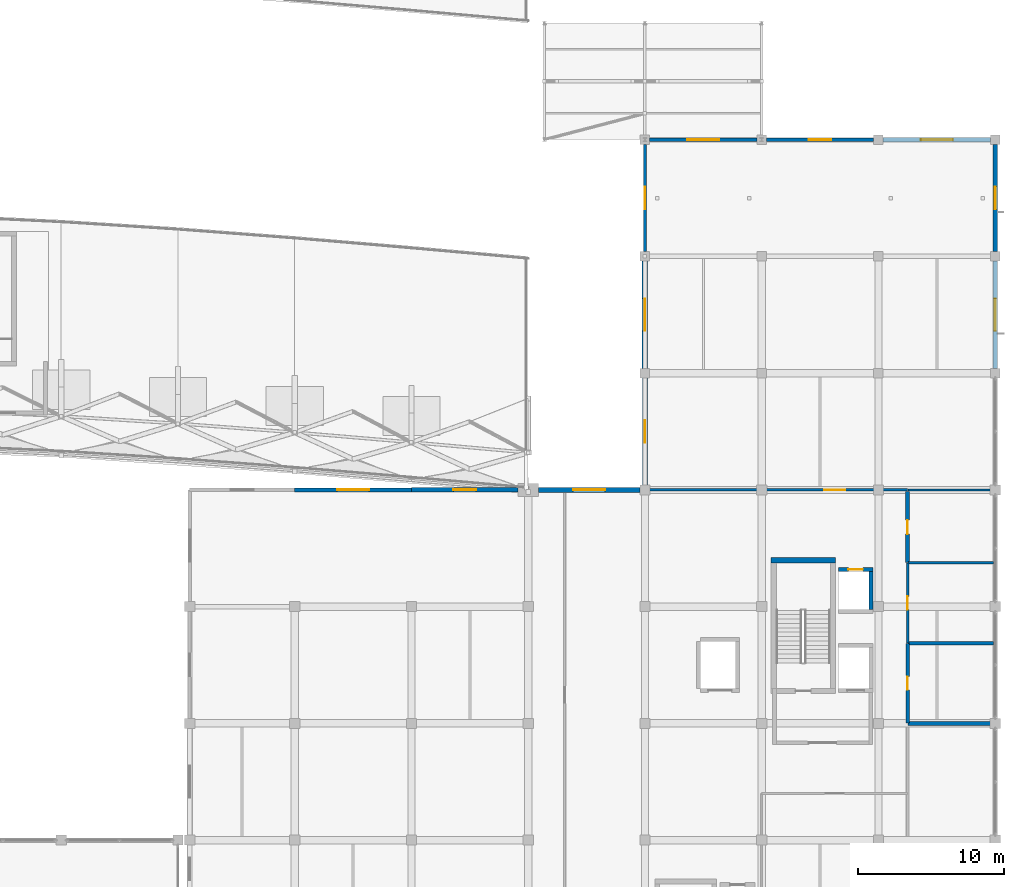
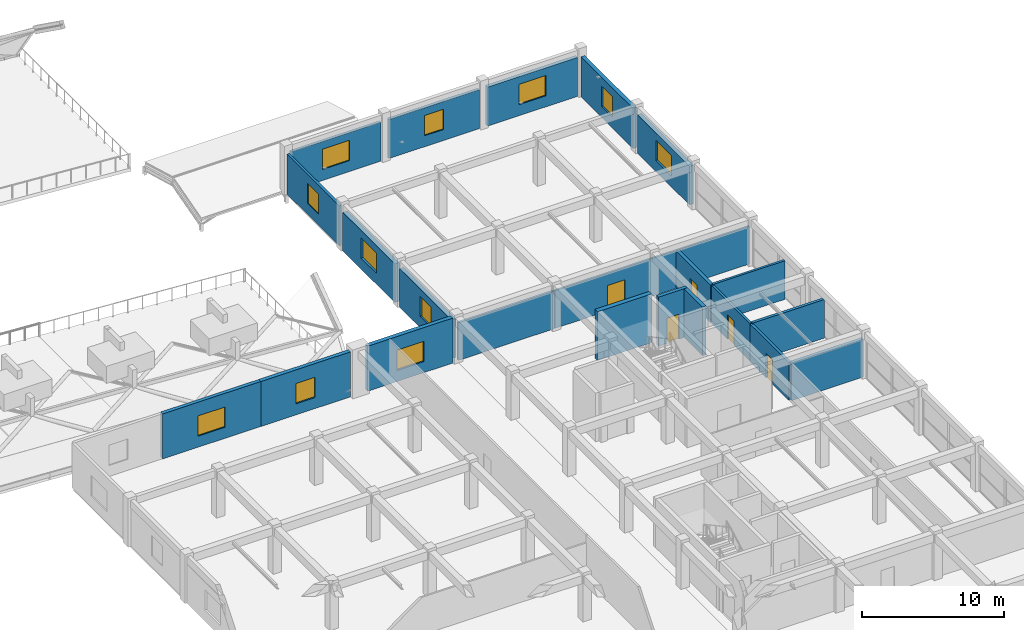
# One storey, part 48 of 67: 23 walls, 11 windows, 5 doors, 16 openings.
"""IFC4 building model written with IfcOpenShell, lengths in metres."""

from ifc_helpers import new_model, si_unit, direction, frame, frame_2d, origin, place, context, subcontext, project, spatial, rectangle, extrude, material, layer, layer_set, type_object, element, fill, save


model = new_model("IFC4")

# Units and contexts
model_context = context("Model", 3, precision=1e-05, world=origin(), true_north=direction((0.0, 1.0)))
body_context = subcontext(model_context, "Body", "Model", "MODEL_VIEW")
ifc_project = project(units=[si_unit("LENGTHUNIT", "METRE"), si_unit("AREAUNIT", "SQUARE_METRE"), si_unit("VOLUMEUNIT", "CUBIC_METRE"), si_unit("PLANEANGLEUNIT", "RADIAN"), si_unit("MASSUNIT", "GRAM", prefix="KILO")], contexts=[model_context])

# Site, building, storey
site_placement = place(None, origin())
site = spatial("IfcSite", under=ifc_project, at=site_placement, CompositionType="ELEMENT")
building_placement = place(site_placement, origin())
building = spatial("IfcBuilding", under=site, at=building_placement, Name="Kenh Van Central Station", CompositionType="ELEMENT")
storey_placement = place(building_placement, frame((0.0, 0.0, 10.800048828125)))
storey = spatial("IfcBuildingStorey", under=building, at=storey_placement, Name="L02", CompositionType="ELEMENT", Elevation=10.800048828125)

# Wall, opening, door
ifc_material_1 = material(Name="Concrete C40/50", Category="concrete")
ifc_layer_1 = layer(ifc_material_1, 0.280029296875, Name="Concrete C40/50")
ifc_layer_set_1 = layer_set([ifc_layer_1], Name="Concrete C40/50")
wall_type_1 = type_object("IfcWallType", Name="WL-CORE-280", PredefinedType="SHEAR", material=ifc_layer_set_1)
wall_1_placement = place(storey_placement, frame((165.25, 58.5400390625, 0.0), z_axis=(0.0, 0.0, 1.0), x_axis=(1.0, 0.0, 0.0)))
wall_1 = element("IfcWall", 1, at=wall_1_placement, inside=storey, type_object=wall_type_1, Name="L02 LIFT-OP2 shaft wall N", PredefinedType="SHEAR", context=body_context, shape_type="SweptSolid", body=[
    extrude(rectangle(XDim=2.3798828125, YDim=0.280029296875, at=frame_2d((1.18994140625, 0.0))), origin(), (0.0, 0.0, 1.0), 4.199951171875),
])
opening_1_placement = place(wall_1_placement, frame((0.68994140625, 0.0, 0.0)))
opening_1 = element("IfcOpeningElement", 2, at=opening_1_placement, cuts=wall_1, Name="Opening LD-OP1", PredefinedType="OPENING", context=body_context, shape_type="SweptSolid", body=[
    extrude(rectangle(XDim=1.0, YDim=2.14990234375, at=frame_2d((0.5, 1.074951171875))), frame((0.0, 0.14990234375, 0.0), z_axis=(0.0, -1.0, 0.0), x_axis=(1.0, 0.0, 0.0)), (0.0, 0.0, 1.0), 0.300048828125),
])
ifc_material_2 = material(Name="Champagne anodised aluminium", Category="aluminium")
door_type_1 = type_object("IfcDoorType", Name="DR-LIFT-1000x2150", OperationType="SLIDING_TO_LEFT", PredefinedType="DOOR", material=ifc_material_2)
door_1_placement = place(opening_1_placement, origin())
door_1 = element("IfcDoor", 3, at=door_1_placement, inside=storey, type_object=door_type_1, Name="L02 LIFT-OP2 sliding landing door", OperationType="SLIDING_TO_LEFT", OverallHeight=2.14990234375, OverallWidth=1.0, PredefinedType="DOOR", context=body_context, shape_type="SweptSolid", body=[
    extrude(rectangle(XDim=1.0, YDim=2.14990234375, at=frame_2d((0.5, 1.074951171875))), frame((0.0, 0.02490234375, 0.0), z_axis=(0.0, -1.0, 0.0), x_axis=(1.0, 0.0, 0.0)), (0.0, 0.0, 1.0), 0.050048828125),
])
fill(opening_1, door_1)

# Walls
wall_2_placement = place(storey_placement, frame((167.489990234375, 55.800048828125, 0.0), z_axis=(0.0, 0.0, 1.0), x_axis=(0.0, 1.0, 0.0)))
element("IfcWall", 4, at=wall_2_placement, inside=storey, type_object=wall_type_1, Name="L02 LIFT-OP2 shaft wall E", PredefinedType="SHEAR", context=body_context, shape_type="SweptSolid", body=[
    extrude(rectangle(XDim=2.599853515625, YDim=0.280029296875, at=frame_2d((1.2998046875, 0.0))), origin(), (0.0, 0.0, 1.0), 4.199951171875),
])
ifc_layer_2 = layer(ifc_material_1, 0.360107421875, Name="Concrete C40/50")
ifc_layer_set_2 = layer_set([ifc_layer_2], Name="Concrete C40/50")
wall_type_2 = type_object("IfcWallType", Name="WL-CORE-360", PredefinedType="SHEAR", material=ifc_layer_set_2)
wall_3_placement = place(storey_placement, frame((160.639892578125, 59.179931640625, 0.0), z_axis=(0.0, 0.0, 1.0), x_axis=(1.0, 0.0, 0.0)))
element("IfcWall", 5, at=wall_3_placement, inside=storey, type_object=wall_type_2, Name="L02 CORE-10 stair wall N", PredefinedType="SHEAR", context=body_context, shape_type="SweptSolid", body=[
    extrude(rectangle(XDim=4.420166015625, YDim=0.360107421875, at=frame_2d((2.2099609375, 0.0))), origin(), (0.0, 0.0, 1.0), 4.199951171875),
])

# Wall, opening, window
ifc_material_3 = material(Name="Saigon buff sandstone and terracotta masonry", Category="masonry")
ifc_layer_3 = layer(ifc_material_3, 0.2900390625, Name="Saigon buff sandstone and terracotta masonry")
ifc_layer_set_3 = layer_set([ifc_layer_3], Name="Saigon buff sandstone and terracotta masonry")
wall_type_3 = type_object("IfcWallType", Name="WL-EXT-290", PredefinedType="STANDARD", material=ifc_layer_set_3)
wall_4_placement = place(storey_placement, frame((175.675048828125, 88.0, 0.0), z_axis=(0.0, 0.0, 1.0), x_axis=(-1.0, 0.0, 0.0)))
wall_4 = element("IfcWall", 6, at=wall_4_placement, inside=storey, type_object=wall_type_3, Name="L02 exterior wall 084", PredefinedType="STANDARD", context=body_context, shape_type="SweptSolid", body=[
    extrude(rectangle(XDim=7.35009765625, YDim=0.2900390625, at=frame_2d((3.675048828125, 0.0))), origin(), (0.0, 0.0, 1.0), 3.35986328125),
])
opening_2_placement = place(wall_4_placement, frame((2.574951171875, 0.0, 0.949951171875)))
opening_2 = element("IfcOpeningElement", 7, at=opening_2_placement, cuts=wall_4, Name="Opening WN-16", PredefinedType="OPENING", context=body_context, shape_type="SweptSolid", body=[
    extrude(rectangle(XDim=2.199951171875, YDim=1.75, at=frame_2d((1.10009765625, 0.875))), frame((0.0, 0.155029296875, 0.0), z_axis=(0.0, -1.0, 0.0), x_axis=(1.0, 0.0, 0.0)), (0.0, 0.0, 1.0), 0.31005859375),
])
ifc_material_4 = material(Name="Double-glazed low-E laminated solar glass", Category="glass")
window_type_1 = type_object("IfcWindowType", Name="WN-OP02-2200x1750", PartitioningType="DOUBLE_PANEL_VERTICAL", PredefinedType="WINDOW", material=ifc_material_4)
window_1_placement = place(opening_2_placement, origin())
window_1 = element("IfcWindow", 8, at=window_1_placement, inside=storey, type_object=window_type_1, Name="L02 window 054", OverallHeight=1.75, OverallWidth=2.199951171875, PartitioningType="SINGLE_PANEL", PredefinedType="WINDOW", context=body_context, shape_type="SweptSolid", body=[
    extrude(rectangle(XDim=2.199951171875, YDim=1.75, at=frame_2d((1.10009765625, 0.875))), frame((0.0, 0.030029296875, 0.0), z_axis=(0.0, -1.0, 0.0), x_axis=(1.0, 0.0, 0.0)), (0.0, 0.0, 1.0), 0.06005859375),
])
fill(opening_2, window_1)

wall_5_placement = place(storey_placement, frame((136.0, 64.0, 0.0), z_axis=(0.0, 0.0, 1.0), x_axis=(-1.0, 0.0, 0.0)))
wall_5 = element("IfcWall", 9, at=wall_5_placement, inside=storey, type_object=wall_type_3, Name="L02 exterior wall 092", PredefinedType="STANDARD", context=body_context, shape_type="SweptSolid", body=[
    extrude(rectangle(XDim=8.0, YDim=0.2900390625, at=frame_2d((4.0, 0.0))), origin(), (0.0, 0.0, 1.0), 3.8798828125),
])
opening_3_placement = place(wall_5_placement, frame((2.89990234375, 0.0, 0.949951171875)))
opening_3 = element("IfcOpeningElement", 10, at=opening_3_placement, cuts=wall_5, Name="Opening WN-16", PredefinedType="OPENING", context=body_context, shape_type="SweptSolid", body=[
    extrude(rectangle(XDim=2.199951171875, YDim=1.75, at=frame_2d((1.10009765625, 0.875))), frame((0.0, 0.155029296875, 0.0), z_axis=(0.0, -1.0, 0.0), x_axis=(1.0, 0.0, 0.0)), (0.0, 0.0, 1.0), 0.31005859375),
])
window_2_placement = place(opening_3_placement, origin())
window_2 = element("IfcWindow", 11, at=window_2_placement, inside=storey, type_object=window_type_1, Name="L02 window 062", OverallHeight=1.75, OverallWidth=2.199951171875, PartitioningType="SINGLE_PANEL", PredefinedType="WINDOW", context=body_context, shape_type="SweptSolid", body=[
    extrude(rectangle(XDim=2.199951171875, YDim=1.75, at=frame_2d((1.10009765625, 0.875))), frame((0.0, 0.030029296875, 0.0), z_axis=(0.0, -1.0, 0.0), x_axis=(1.0, 0.0, 0.0)), (0.0, 0.0, 1.0), 0.06005859375),
])
fill(opening_3, window_2)

ifc_layer_4 = layer(ifc_material_3, 0.31005859375, Name="Saigon buff sandstone and terracotta masonry")
ifc_layer_set_4 = layer_set([ifc_layer_4], Name="Saigon buff sandstone and terracotta masonry")
wall_type_4 = type_object("IfcWallType", Name="WL-EXT-310", PredefinedType="STANDARD", material=ifc_layer_set_4)
wall_6_placement = place(storey_placement, frame((176.0, 80.324951171875, 0.0), z_axis=(0.0, 0.0, 1.0), x_axis=(0.0, 1.0, 0.0)))
wall_6 = element("IfcWall", 12, at=wall_6_placement, inside=storey, type_object=wall_type_4, Name="L02 exterior wall 083", PredefinedType="STANDARD", context=body_context, shape_type="SweptSolid", body=[
    extrude(rectangle(XDim=7.35009765625, YDim=0.31005859375, at=frame_2d((3.675048828125, 0.0))), origin(), (0.0, 0.0, 1.0), 3.4638671875),
])
opening_4_placement = place(wall_6_placement, frame((2.89990234375, 0.0, 0.949951171875)))
opening_4 = element("IfcOpeningElement", 13, at=opening_4_placement, cuts=wall_6, Name="Opening WN-17", PredefinedType="OPENING", context=body_context, shape_type="SweptSolid", body=[
    extrude(rectangle(XDim=1.550048828125, YDim=1.75, at=frame_2d((0.77490234375, 0.875))), frame((0.0, 0.1650390625, 0.0), z_axis=(0.0, -1.0, 0.0), x_axis=(1.0, 0.0, 0.0)), (0.0, 0.0, 1.0), 0.330078125),
])
window_type_2 = type_object("IfcWindowType", Name="WN-OP02-1550x1750", PartitioningType="SINGLE_PANEL", PredefinedType="WINDOW", material=ifc_material_4)
window_3_placement = place(opening_4_placement, origin())
window_3 = element("IfcWindow", 14, at=window_3_placement, inside=storey, type_object=window_type_2, Name="L02 window 053", OverallHeight=1.75, OverallWidth=1.550048828125, PartitioningType="SINGLE_PANEL", PredefinedType="WINDOW", context=body_context, shape_type="SweptSolid", body=[
    extrude(rectangle(XDim=1.550048828125, YDim=1.75, at=frame_2d((0.77490234375, 0.875))), frame((0.0, 0.030029296875, 0.0), z_axis=(0.0, -1.0, 0.0), x_axis=(1.0, 0.0, 0.0)), (0.0, 0.0, 1.0), 0.06005859375),
])
fill(opening_4, window_3)

wall_7_placement = place(storey_placement, frame((143.300048828125, 64.0, 0.0), z_axis=(0.0, 0.0, 1.0), x_axis=(-1.0, 0.0, 0.0)))
wall_7 = element("IfcWall", 15, at=wall_7_placement, inside=storey, type_object=wall_type_4, Name="L02 exterior wall 091", PredefinedType="STANDARD", context=body_context, shape_type="SweptSolid", body=[
    extrude(rectangle(XDim=7.300048828125, YDim=0.31005859375, at=frame_2d((3.64990234375, 0.0))), origin(), (0.0, 0.0, 1.0), 3.8798828125),
])
opening_5_placement = place(wall_7_placement, frame((2.875, 0.0, 0.949951171875)))
opening_5 = element("IfcOpeningElement", 16, at=opening_5_placement, cuts=wall_7, Name="Opening WN-17", PredefinedType="OPENING", context=body_context, shape_type="SweptSolid", body=[
    extrude(rectangle(XDim=1.550048828125, YDim=1.75, at=frame_2d((0.77490234375, 0.875))), frame((0.0, 0.1650390625, 0.0), z_axis=(0.0, -1.0, 0.0), x_axis=(1.0, 0.0, 0.0)), (0.0, 0.0, 1.0), 0.330078125),
])
window_4_placement = place(opening_5_placement, origin())
window_4 = element("IfcWindow", 17, at=window_4_placement, inside=storey, type_object=window_type_2, Name="L02 window 061", OverallHeight=1.75, OverallWidth=1.550048828125, PartitioningType="SINGLE_PANEL", PredefinedType="WINDOW", context=body_context, shape_type="SweptSolid", body=[
    extrude(rectangle(XDim=1.550048828125, YDim=1.75, at=frame_2d((0.77490234375, 0.875))), frame((0.0, 0.030029296875, 0.0), z_axis=(0.0, -1.0, 0.0), x_axis=(1.0, 0.0, 0.0)), (0.0, 0.0, 1.0), 0.06005859375),
])
fill(opening_5, window_4)

ifc_layer_5 = layer(ifc_material_3, 0.330078125, Name="Saigon buff sandstone and terracotta masonry")
ifc_layer_set_5 = layer_set([ifc_layer_5], Name="Saigon buff sandstone and terracotta masonry")
wall_type_5 = type_object("IfcWallType", Name="WL-EXT-330", PredefinedType="STANDARD", material=ifc_layer_set_5)
wall_8_placement = place(storey_placement, frame((176.0, 72.324951171875, 0.0), z_axis=(0.0, 0.0, 1.0), x_axis=(0.0, 1.0, 0.0)))
wall_8 = element("IfcWall", 18, at=wall_8_placement, inside=storey, type_object=wall_type_5, Name="L02 exterior wall 082", PredefinedType="STANDARD", context=body_context, shape_type="SweptSolid", body=[
    extrude(rectangle(XDim=7.35009765625, YDim=0.330078125, at=frame_2d((3.675048828125, 0.0))), origin(), (0.0, 0.0, 1.0), 3.329833984375),
])
opening_6_placement = place(wall_8_placement, frame((2.574951171875, 0.0, 0.949951171875)))
opening_6 = element("IfcOpeningElement", 19, at=opening_6_placement, cuts=wall_8, Name="Opening WN-16", PredefinedType="OPENING", context=body_context, shape_type="SweptSolid", body=[
    extrude(rectangle(XDim=2.199951171875, YDim=1.75, at=frame_2d((1.10009765625, 0.875))), frame((0.0, 0.175048828125, 0.0), z_axis=(0.0, -1.0, 0.0), x_axis=(1.0, 0.0, 0.0)), (0.0, 0.0, 1.0), 0.35009765625),
])
window_5_placement = place(opening_6_placement, origin())
window_5 = element("IfcWindow", 20, at=window_5_placement, inside=storey, type_object=window_type_1, Name="L02 window 052", OverallHeight=1.75, OverallWidth=2.199951171875, PartitioningType="SINGLE_PANEL", PredefinedType="WINDOW", context=body_context, shape_type="SweptSolid", body=[
    extrude(rectangle(XDim=2.199951171875, YDim=1.75, at=frame_2d((1.10009765625, 0.875))), frame((0.0, 0.030029296875, 0.0), z_axis=(0.0, -1.0, 0.0), x_axis=(1.0, 0.0, 0.0)), (0.0, 0.0, 1.0), 0.06005859375),
])
fill(opening_6, window_5)

wall_9_placement = place(storey_placement, frame((151.64990234375, 64.0, 0.0), z_axis=(0.0, 0.0, 1.0), x_axis=(-1.0, 0.0, 0.0)))
wall_9 = element("IfcWall", 21, at=wall_9_placement, inside=storey, type_object=wall_type_5, Name="L02 exterior wall 090", PredefinedType="STANDARD", context=body_context, shape_type="SweptSolid", body=[
    extrude(rectangle(XDim=6.949951171875, YDim=0.330078125, at=frame_2d((3.47509765625, 0.0))), origin(), (0.0, 0.0, 1.0), 3.8798828125),
])
opening_7_placement = place(wall_9_placement, frame((2.375, 0.0, 0.949951171875)))
opening_7 = element("IfcOpeningElement", 22, at=opening_7_placement, cuts=wall_9, Name="Opening WN-16", PredefinedType="OPENING", context=body_context, shape_type="SweptSolid", body=[
    extrude(rectangle(XDim=2.199951171875, YDim=1.75, at=frame_2d((1.10009765625, 0.875))), frame((0.0, 0.175048828125, 0.0), z_axis=(0.0, -1.0, 0.0), x_axis=(1.0, 0.0, 0.0)), (0.0, 0.0, 1.0), 0.35009765625),
])
window_6_placement = place(opening_7_placement, origin())
window_6 = element("IfcWindow", 23, at=window_6_placement, inside=storey, type_object=window_type_1, Name="L02 window 060", OverallHeight=1.75, OverallWidth=2.199951171875, PartitioningType="SINGLE_PANEL", PredefinedType="WINDOW", context=body_context, shape_type="SweptSolid", body=[
    extrude(rectangle(XDim=2.199951171875, YDim=1.75, at=frame_2d((1.10009765625, 0.875))), frame((0.0, 0.030029296875, 0.0), z_axis=(0.0, -1.0, 0.0), x_axis=(1.0, 0.0, 0.0)), (0.0, 0.0, 1.0), 0.06005859375),
])
fill(opening_7, window_6)

ifc_layer_6 = layer(ifc_material_3, 0.35009765625, Name="Saigon buff sandstone and terracotta masonry")
ifc_layer_set_6 = layer_set([ifc_layer_6], Name="Saigon buff sandstone and terracotta masonry")
wall_type_6 = type_object("IfcWallType", Name="WL-EXT-350", PredefinedType="STANDARD", material=ifc_layer_set_6)
wall_10_placement = place(storey_placement, frame((152.0, 71.675048828125, 0.0), z_axis=(0.0, 0.0, 1.0), x_axis=(0.0, -1.0, 0.0)))
wall_10 = element("IfcWall", 24, at=wall_10_placement, inside=storey, type_object=wall_type_6, Name="L02 exterior wall 089", PredefinedType="STANDARD", context=body_context, shape_type="SweptSolid", body=[
    extrude(rectangle(XDim=7.324951171875, YDim=0.35009765625, at=frame_2d((3.66259765625, 0.0))), origin(), (0.0, 0.0, 1.0), 3.329833984375),
])
opening_8_placement = place(wall_10_placement, frame((2.887451171875, 0.0, 0.949951171875)))
opening_8 = element("IfcOpeningElement", 25, at=opening_8_placement, cuts=wall_10, Name="Opening WN-17", PredefinedType="OPENING", context=body_context, shape_type="SweptSolid", body=[
    extrude(rectangle(XDim=1.550048828125, YDim=1.75, at=frame_2d((0.77490234375, 0.875))), frame((0.0, 0.18505859375, 0.0), z_axis=(0.0, -1.0, 0.0), x_axis=(1.0, 0.0, 0.0)), (0.0, 0.0, 1.0), 0.3701171875),
])
window_7_placement = place(opening_8_placement, origin())
window_7 = element("IfcWindow", 26, at=window_7_placement, inside=storey, type_object=window_type_2, Name="L02 window 059", OverallHeight=1.75, OverallWidth=1.550048828125, PartitioningType="SINGLE_PANEL", PredefinedType="WINDOW", context=body_context, shape_type="SweptSolid", body=[
    extrude(rectangle(XDim=1.550048828125, YDim=1.75, at=frame_2d((0.77490234375, 0.875))), frame((0.0, 0.030029296875, 0.0), z_axis=(0.0, -1.0, 0.0), x_axis=(1.0, 0.0, 0.0)), (0.0, 0.0, 1.0), 0.06005859375),
])
fill(opening_8, window_7)

ifc_layer_7 = layer(ifc_material_3, 0.3798828125, Name="Saigon buff sandstone and terracotta masonry")
ifc_layer_set_7 = layer_set([ifc_layer_7], Name="Saigon buff sandstone and terracotta masonry")
wall_type_7 = type_object("IfcWallType", Name="WL-EXT-380", PredefinedType="STANDARD", material=ifc_layer_set_7)
wall_11_placement = place(storey_placement, frame((152.0, 79.675048828125, 0.0), z_axis=(0.0, 0.0, 1.0), x_axis=(0.0, -1.0, 0.0)))
wall_11 = element("IfcWall", 27, at=wall_11_placement, inside=storey, type_object=wall_type_7, Name="L02 exterior wall 088", PredefinedType="STANDARD", context=body_context, shape_type="SweptSolid", body=[
    extrude(rectangle(XDim=7.35009765625, YDim=0.3798828125, at=frame_2d((3.675048828125, 0.0))), origin(), (0.0, 0.0, 1.0), 3.329833984375),
])
opening_9_placement = place(wall_11_placement, frame((2.574951171875, 0.0, 0.949951171875)))
opening_9 = element("IfcOpeningElement", 28, at=opening_9_placement, cuts=wall_11, Name="Opening WN-16", PredefinedType="OPENING", context=body_context, shape_type="SweptSolid", body=[
    extrude(rectangle(XDim=2.199951171875, YDim=1.75, at=frame_2d((1.10009765625, 0.875))), frame((0.0, 0.199951171875, 0.0), z_axis=(0.0, -1.0, 0.0), x_axis=(1.0, 0.0, 0.0)), (0.0, 0.0, 1.0), 0.39990234375),
])
window_8_placement = place(opening_9_placement, origin())
window_8 = element("IfcWindow", 29, at=window_8_placement, inside=storey, type_object=window_type_1, Name="L02 window 058", OverallHeight=1.75, OverallWidth=2.199951171875, PartitioningType="SINGLE_PANEL", PredefinedType="WINDOW", context=body_context, shape_type="SweptSolid", body=[
    extrude(rectangle(XDim=2.199951171875, YDim=1.75, at=frame_2d((1.10009765625, 0.875))), frame((0.0, 0.030029296875, 0.0), z_axis=(0.0, -1.0, 0.0), x_axis=(1.0, 0.0, 0.0)), (0.0, 0.0, 1.0), 0.06005859375),
])
fill(opening_9, window_8)

# Wall
ifc_material_5 = material(Name="Lightweight acoustic masonry blockwork", Category="masonry")
ifc_layer_8 = layer(ifc_material_5, 0.14990234375, Name="Lightweight acoustic masonry blockwork")
ifc_layer_set_8 = layer_set([ifc_layer_8], Name="Lightweight acoustic masonry blockwork")
wall_type_8 = type_object("IfcWallType", Name="WL-PART-150", PredefinedType="PARTITIONING", material=ifc_layer_set_8)
wall_12_placement = place(storey_placement, frame((170.02001953125, 64.0, 0.0), z_axis=(0.0, 0.0, 1.0), x_axis=(1.0, 0.0, 0.0)))
element("IfcWall", 30, at=wall_12_placement, inside=storey, type_object=wall_type_8, Name="L02 interior wall 0170", PredefinedType="PARTITIONING", context=body_context, shape_type="SweptSolid", body=[
    extrude(rectangle(XDim=5.85986328125, YDim=0.14990234375, at=frame_2d((2.929931640625, 0.0))), origin(), (0.0, 0.0, 1.0), 3.25),
])

# Wall, opening, door
ifc_layer_9 = layer(ifc_material_5, 0.159912109375, Name="Lightweight acoustic masonry blockwork")
ifc_layer_set_9 = layer_set([ifc_layer_9], Name="Lightweight acoustic masonry blockwork")
wall_type_9 = type_object("IfcWallType", Name="WL-PART-160", PredefinedType="PARTITIONING", material=ifc_layer_set_9)
wall_13_placement = place(storey_placement, frame((160.02001953125, 64.0, 0.0), z_axis=(0.0, 0.0, 1.0), x_axis=(1.0, 0.0, 0.0)))
wall_13 = element("IfcWall", 31, at=wall_13_placement, inside=storey, type_object=wall_type_9, Name="L02 interior wall 0169", PredefinedType="PARTITIONING", context=body_context, shape_type="SweptSolid", body=[
    extrude(rectangle(XDim=9.9599609375, YDim=0.159912109375, at=frame_2d((4.97998046875, 0.0))), origin(), (0.0, 0.0, 1.0), 3.25),
])
opening_10_placement = place(wall_13_placement, frame((4.2548828125, 0.0, 0.0)))
opening_10 = element("IfcOpeningElement", 32, at=opening_10_placement, cuts=wall_13, Name="Opening D-IN03", PredefinedType="OPENING", context=body_context, shape_type="SweptSolid", body=[
    extrude(rectangle(XDim=1.449951171875, YDim=2.199951171875, at=frame_2d((0.72509765625, 1.10009765625))), frame((0.0, 0.08984375, 0.0), z_axis=(0.0, -1.0, 0.0), x_axis=(1.0, 0.0, 0.0)), (0.0, 0.0, 1.0), 0.179931640625),
])
ifc_material_6 = material(Name="Architectural hardwood timber", Category="wood")
door_type_2 = type_object("IfcDoorType", Name="DR-INT-1450x2200", OperationType="DOUBLE_DOOR_SINGLE_SWING", PredefinedType="DOOR", material=ifc_material_6)
door_2_placement = place(opening_10_placement, origin())
door_2 = element("IfcDoor", 33, at=door_2_placement, inside=storey, type_object=door_type_2, Name="L02 interior door 0093", OperationType="DOUBLE_DOOR_SINGLE_SWING", OverallHeight=2.199951171875, OverallWidth=1.449951171875, PredefinedType="DOOR", context=body_context, shape_type="SweptSolid", body=[
    extrude(rectangle(XDim=1.449951171875, YDim=2.199951171875, at=frame_2d((0.72509765625, 1.10009765625))), frame((0.0, 0.02490234375, 0.0), z_axis=(0.0, -1.0, 0.0), x_axis=(1.0, 0.0, 0.0)), (0.0, 0.0, 1.0), 0.050048828125),
])
fill(opening_10, door_2)

# Wall
ifc_layer_10 = layer(ifc_material_5, 0.175048828125, Name="Lightweight acoustic masonry blockwork")
ifc_layer_set_10 = layer_set([ifc_layer_10], Name="Lightweight acoustic masonry blockwork")
wall_type_10 = type_object("IfcWallType", Name="WL-PART-175", PredefinedType="PARTITIONING", material=ifc_layer_set_10)
wall_14_placement = place(storey_placement, frame((152.1201171875, 64.0, 0.0), z_axis=(0.0, 0.0, 1.0), x_axis=(1.0, 0.0, 0.0)))
element("IfcWall", 34, at=wall_14_placement, inside=storey, type_object=wall_type_10, Name="L02 interior wall 0168", PredefinedType="PARTITIONING", context=body_context, shape_type="SweptSolid", body=[
    extrude(rectangle(XDim=7.85986328125, YDim=0.175048828125, at=frame_2d((3.929931640625, 0.0))), origin(), (0.0, 0.0, 1.0), 3.25),
])

# Wall, opening, door
ifc_layer_11 = layer(ifc_material_5, 0.18505859375, Name="Lightweight acoustic masonry blockwork")
ifc_layer_set_11 = layer_set([ifc_layer_11], Name="Lightweight acoustic masonry blockwork")
wall_type_11 = type_object("IfcWallType", Name="WL-PLMB-185", PredefinedType="PLUMBINGWALL", material=ifc_layer_set_11)
wall_15_placement = place(storey_placement, frame((170.0, 53.52001953125, 0.0), z_axis=(0.0, 0.0, 1.0), x_axis=(0.0, 1.0, 0.0)))
wall_15 = element("IfcWall", 35, at=wall_15_placement, inside=storey, type_object=wall_type_11, Name="L02 interior wall 0164", PredefinedType="PLUMBINGWALL", context=body_context, shape_type="SweptSolid", body=[
    extrude(rectangle(XDim=5.4599609375, YDim=0.18505859375, at=frame_2d((2.72998046875, 0.0))), origin(), (0.0, 0.0, 1.0), 3.25),
])
opening_11_placement = place(wall_15_placement, frame((2.27001953125, 0.0, 0.0)))
opening_11 = element("IfcOpeningElement", 36, at=opening_11_placement, cuts=wall_15, Name="Opening D-IN09", PredefinedType="OPENING", context=body_context, shape_type="SweptSolid", body=[
    extrude(rectangle(XDim=0.919921875, YDim=2.10009765625, at=frame_2d((0.4599609375, 1.050048828125))), frame((0.0, 0.1025390625, 0.0), z_axis=(0.0, -1.0, 0.0), x_axis=(1.0, 0.0, 0.0)), (0.0, 0.0, 1.0), 0.205078125),
])
door_type_3 = type_object("IfcDoorType", Name="DR-INT-920x2100", OperationType="NOTDEFINED", PredefinedType="DOOR", material=ifc_material_6)
door_3_placement = place(opening_11_placement, origin())
door_3 = element("IfcDoor", 37, at=door_3_placement, inside=storey, type_object=door_type_3, Name="L02 interior door 0091", OperationType="SINGLE_SWING_RIGHT", OverallHeight=2.10009765625, OverallWidth=0.919921875, PredefinedType="DOOR", context=body_context, shape_type="SweptSolid", body=[
    extrude(rectangle(XDim=0.919921875, YDim=2.10009765625, at=frame_2d((0.4599609375, 1.050048828125))), frame((0.0, 0.02490234375, 0.0), z_axis=(0.0, -1.0, 0.0), x_axis=(1.0, 0.0, 0.0)), (0.0, 0.0, 1.0), 0.050048828125),
])
fill(opening_11, door_3)

# Wall
wall_16_placement = place(storey_placement, frame((170.02001953125, 59.0, 0.0), z_axis=(0.0, 0.0, 1.0), x_axis=(1.0, 0.0, 0.0)))
element("IfcWall", 38, at=wall_16_placement, inside=storey, type_object=wall_type_11, Name="L02 interior wall 0167", PredefinedType="PLUMBINGWALL", context=body_context, shape_type="SweptSolid", body=[
    extrude(rectangle(XDim=5.85986328125, YDim=0.18505859375, at=frame_2d((2.929931640625, 0.0))), origin(), (0.0, 0.0, 1.0), 3.329833984375),
])

# Wall, opening, door
ifc_layer_12 = layer(ifc_material_5, 0.22998046875, Name="Lightweight acoustic masonry blockwork")
ifc_layer_set_12 = layer_set([ifc_layer_12], Name="Lightweight acoustic masonry blockwork")
wall_type_12 = type_object("IfcWallType", Name="WL-PLMB-230", PredefinedType="PLUMBINGWALL", material=ifc_layer_set_12)
wall_17_placement = place(storey_placement, frame((170.0, 48.02001953125, 0.0), z_axis=(0.0, 0.0, 1.0), x_axis=(0.0, 1.0, 0.0)))
wall_17 = element("IfcWall", 39, at=wall_17_placement, inside=storey, type_object=wall_type_12, Name="L02 interior wall 0163", PredefinedType="PLUMBINGWALL", context=body_context, shape_type="SweptSolid", body=[
    extrude(rectangle(XDim=5.4599609375, YDim=0.22998046875, at=frame_2d((2.72998046875, 0.0))), origin(), (0.0, 0.0, 1.0), 3.25),
])
opening_12_placement = place(wall_17_placement, frame((2.27001953125, 0.0, 0.0)))
opening_12 = element("IfcOpeningElement", 40, at=opening_12_placement, cuts=wall_17, Name="Opening D-IN09", PredefinedType="OPENING", context=body_context, shape_type="SweptSolid", body=[
    extrude(rectangle(XDim=0.919921875, YDim=2.10009765625, at=frame_2d((0.4599609375, 1.050048828125))), frame((0.0, 0.125, 0.0), z_axis=(0.0, -1.0, 0.0), x_axis=(1.0, 0.0, 0.0)), (0.0, 0.0, 1.0), 0.25),
])
door_4_placement = place(opening_12_placement, origin())
door_4 = element("IfcDoor", 41, at=door_4_placement, inside=storey, type_object=door_type_3, Name="L02 interior door 0090", OperationType="SINGLE_SWING_LEFT", OverallHeight=2.10009765625, OverallWidth=0.919921875, PredefinedType="DOOR", context=body_context, shape_type="SweptSolid", body=[
    extrude(rectangle(XDim=0.919921875, YDim=2.10009765625, at=frame_2d((0.4599609375, 1.050048828125))), frame((0.0, 0.02490234375, 0.0), z_axis=(0.0, -1.0, 0.0), x_axis=(1.0, 0.0, 0.0)), (0.0, 0.0, 1.0), 0.050048828125),
])
fill(opening_12, door_4)

# Walls
wall_18_placement = place(storey_placement, frame((170.02001953125, 53.5, 0.0), z_axis=(0.0, 0.0, 1.0), x_axis=(1.0, 0.0, 0.0)))
element("IfcWall", 42, at=wall_18_placement, inside=storey, type_object=wall_type_12, Name="L02 interior wall 0166", PredefinedType="PLUMBINGWALL", context=body_context, shape_type="SweptSolid", body=[
    extrude(rectangle(XDim=5.85986328125, YDim=0.22998046875, at=frame_2d((2.929931640625, 0.0))), origin(), (0.0, 0.0, 1.0), 3.329833984375),
])
ifc_layer_13 = layer(ifc_material_5, 0.27001953125, Name="Lightweight acoustic masonry blockwork")
ifc_layer_set_13 = layer_set([ifc_layer_13], Name="Lightweight acoustic masonry blockwork")
wall_type_13 = type_object("IfcWallType", Name="WL-PLMB-270", PredefinedType="PLUMBINGWALL", material=ifc_layer_set_13)
wall_19_placement = place(storey_placement, frame((170.02001953125, 48.0, 0.0), z_axis=(0.0, 0.0, 1.0), x_axis=(1.0, 0.0, 0.0)))
element("IfcWall", 43, at=wall_19_placement, inside=storey, type_object=wall_type_13, Name="L02 interior wall 0162", PredefinedType="PLUMBINGWALL", context=body_context, shape_type="SweptSolid", body=[
    extrude(rectangle(XDim=5.85986328125, YDim=0.27001953125, at=frame_2d((2.929931640625, 0.0))), origin(), (0.0, 0.0, 1.0), 3.25),
])

# Wall, opening, door
wall_20_placement = place(storey_placement, frame((170.0, 59.02001953125, 0.0), z_axis=(0.0, 0.0, 1.0), x_axis=(0.0, 1.0, 0.0)))
wall_20 = element("IfcWall", 44, at=wall_20_placement, inside=storey, type_object=wall_type_13, Name="L02 interior wall 0165", PredefinedType="PLUMBINGWALL", context=body_context, shape_type="SweptSolid", body=[
    extrude(rectangle(XDim=4.85986328125, YDim=0.27001953125, at=frame_2d((2.429931640625, 0.0))), origin(), (0.0, 0.0, 1.0), 3.25),
])
opening_13_placement = place(wall_20_placement, frame((1.949951171875, 0.0, 0.0)))
opening_13 = element("IfcOpeningElement", 45, at=opening_13_placement, cuts=wall_20, Name="Opening D-IN08", PredefinedType="OPENING", context=body_context, shape_type="SweptSolid", body=[
    extrude(rectangle(XDim=0.9599609375, YDim=2.10009765625, at=frame_2d((0.47998046875, 1.050048828125))), frame((0.0, 0.14501953125, 0.0), z_axis=(0.0, -1.0, 0.0), x_axis=(1.0, 0.0, 0.0)), (0.0, 0.0, 1.0), 0.2900390625),
])
door_type_4 = type_object("IfcDoorType", Name="DR-INT-960x2100", OperationType="NOTDEFINED", PredefinedType="DOOR", material=ifc_material_6)
door_5_placement = place(opening_13_placement, origin())
door_5 = element("IfcDoor", 46, at=door_5_placement, inside=storey, type_object=door_type_4, Name="L02 interior door 0092", OperationType="SINGLE_SWING_LEFT", OverallHeight=2.10009765625, OverallWidth=0.9599609375, PredefinedType="DOOR", context=body_context, shape_type="SweptSolid", body=[
    extrude(rectangle(XDim=0.9599609375, YDim=2.10009765625, at=frame_2d((0.47998046875, 1.050048828125))), frame((0.0, 0.02490234375, 0.0), z_axis=(0.0, -1.0, 0.0), x_axis=(1.0, 0.0, 0.0)), (0.0, 0.0, 1.0), 0.050048828125),
])
fill(opening_13, door_5)

# Wall, opening, window
ifc_material_7 = material(Name="Glazed terracotta architectural masonry", Category="masonry")
ifc_layer_14 = layer(ifc_material_7, 0.195068359375, Name="Glazed terracotta architectural masonry")
ifc_layer_set_14 = layer_set([ifc_layer_14], Name="Glazed terracotta architectural masonry")
wall_type_14 = type_object("IfcWallType", Name="WL-SLD-195", PredefinedType="SOLIDWALL", material=ifc_layer_set_14)
wall_21_placement = place(storey_placement, frame((152.0, 87.675048828125, 0.0), z_axis=(0.0, 0.0, 1.0), x_axis=(0.0, -1.0, 0.0)))
wall_21 = element("IfcWall", 47, at=wall_21_placement, inside=storey, type_object=wall_type_14, Name="L02 exterior wall 087", PredefinedType="SOLIDWALL", context=body_context, shape_type="SweptSolid", body=[
    extrude(rectangle(XDim=7.35009765625, YDim=0.195068359375, at=frame_2d((3.675048828125, 0.0))), origin(), (0.0, 0.0, 1.0), 3.4638671875),
])
opening_14_placement = place(wall_21_placement, frame((2.89990234375, 0.0, 0.949951171875)))
opening_14 = element("IfcOpeningElement", 48, at=opening_14_placement, cuts=wall_21, Name="Opening WN-17", PredefinedType="OPENING", context=body_context, shape_type="SweptSolid", body=[
    extrude(rectangle(XDim=1.550048828125, YDim=1.75, at=frame_2d((0.77490234375, 0.875))), frame((0.0, 0.107421875, 0.0), z_axis=(0.0, -1.0, 0.0), x_axis=(1.0, 0.0, 0.0)), (0.0, 0.0, 1.0), 0.215087890625),
])
window_9_placement = place(opening_14_placement, origin())
window_9 = element("IfcWindow", 49, at=window_9_placement, inside=storey, type_object=window_type_2, Name="L02 window 057", OverallHeight=1.75, OverallWidth=1.550048828125, PartitioningType="SINGLE_PANEL", PredefinedType="WINDOW", context=body_context, shape_type="SweptSolid", body=[
    extrude(rectangle(XDim=1.550048828125, YDim=1.75, at=frame_2d((0.77490234375, 0.875))), frame((0.0, 0.030029296875, 0.0), z_axis=(0.0, -1.0, 0.0), x_axis=(1.0, 0.0, 0.0)), (0.0, 0.0, 1.0), 0.06005859375),
])
fill(opening_14, window_9)

ifc_layer_15 = layer(ifc_material_7, 0.219970703125, Name="Glazed terracotta architectural masonry")
ifc_layer_set_15 = layer_set([ifc_layer_15], Name="Glazed terracotta architectural masonry")
wall_type_15 = type_object("IfcWallType", Name="WL-SLD-220", PredefinedType="SOLIDWALL", material=ifc_layer_set_15)
wall_22_placement = place(storey_placement, frame((159.675048828125, 88.0, 0.0), z_axis=(0.0, 0.0, 1.0), x_axis=(-1.0, 0.0, 0.0)))
wall_22 = element("IfcWall", 50, at=wall_22_placement, inside=storey, type_object=wall_type_15, Name="L02 exterior wall 086", PredefinedType="SOLIDWALL", context=body_context, shape_type="SweptSolid", body=[
    extrude(rectangle(XDim=7.35009765625, YDim=0.219970703125, at=frame_2d((3.675048828125, 0.0))), origin(), (0.0, 0.0, 1.0), 3.35986328125),
])
opening_15_placement = place(wall_22_placement, frame((2.574951171875, 0.0, 0.949951171875)))
opening_15 = element("IfcOpeningElement", 51, at=opening_15_placement, cuts=wall_22, Name="Opening WN-16", PredefinedType="OPENING", context=body_context, shape_type="SweptSolid", body=[
    extrude(rectangle(XDim=2.199951171875, YDim=1.75, at=frame_2d((1.10009765625, 0.875))), frame((0.0, 0.119873046875, 0.0), z_axis=(0.0, -1.0, 0.0), x_axis=(1.0, 0.0, 0.0)), (0.0, 0.0, 1.0), 0.239990234375),
])
window_10_placement = place(opening_15_placement, origin())
window_10 = element("IfcWindow", 52, at=window_10_placement, inside=storey, type_object=window_type_1, Name="L02 window 056", OverallHeight=1.75, OverallWidth=2.199951171875, PartitioningType="SINGLE_PANEL", PredefinedType="WINDOW", context=body_context, shape_type="SweptSolid", body=[
    extrude(rectangle(XDim=2.199951171875, YDim=1.75, at=frame_2d((1.10009765625, 0.875))), frame((0.0, 0.030029296875, 0.0), z_axis=(0.0, -1.0, 0.0), x_axis=(1.0, 0.0, 0.0)), (0.0, 0.0, 1.0), 0.06005859375),
])
fill(opening_15, window_10)

ifc_layer_16 = layer(ifc_material_7, 0.239990234375, Name="Glazed terracotta architectural masonry")
ifc_layer_set_16 = layer_set([ifc_layer_16], Name="Glazed terracotta architectural masonry")
wall_type_16 = type_object("IfcWallType", Name="WL-SLD-240", PredefinedType="SOLIDWALL", material=ifc_layer_set_16)
wall_23_placement = place(storey_placement, frame((167.675048828125, 88.0, 0.0), z_axis=(0.0, 0.0, 1.0), x_axis=(-1.0, 0.0, 0.0)))
wall_23 = element("IfcWall", 53, at=wall_23_placement, inside=storey, type_object=wall_type_16, Name="L02 exterior wall 085", PredefinedType="SOLIDWALL", context=body_context, shape_type="SweptSolid", body=[
    extrude(rectangle(XDim=7.35009765625, YDim=0.239990234375, at=frame_2d((3.675048828125, 0.0))), origin(), (0.0, 0.0, 1.0), 3.35986328125),
])
opening_16_placement = place(wall_23_placement, frame((2.89990234375, 0.0, 0.949951171875)))
opening_16 = element("IfcOpeningElement", 54, at=opening_16_placement, cuts=wall_23, Name="Opening WN-17", PredefinedType="OPENING", context=body_context, shape_type="SweptSolid", body=[
    extrude(rectangle(XDim=1.550048828125, YDim=1.75, at=frame_2d((0.77490234375, 0.875))), frame((0.0, 0.1298828125, 0.0), z_axis=(0.0, -1.0, 0.0), x_axis=(1.0, 0.0, 0.0)), (0.0, 0.0, 1.0), 0.260009765625),
])
window_11_placement = place(opening_16_placement, origin())
window_11 = element("IfcWindow", 55, at=window_11_placement, inside=storey, type_object=window_type_2, Name="L02 window 055", OverallHeight=1.75, OverallWidth=1.550048828125, PartitioningType="SINGLE_PANEL", PredefinedType="WINDOW", context=body_context, shape_type="SweptSolid", body=[
    extrude(rectangle(XDim=1.550048828125, YDim=1.75, at=frame_2d((0.77490234375, 0.875))), frame((0.0, 0.030029296875, 0.0), z_axis=(0.0, -1.0, 0.0), x_axis=(1.0, 0.0, 0.0)), (0.0, 0.0, 1.0), 0.06005859375),
])
fill(opening_16, window_11)

save(model, "model.ifc")
